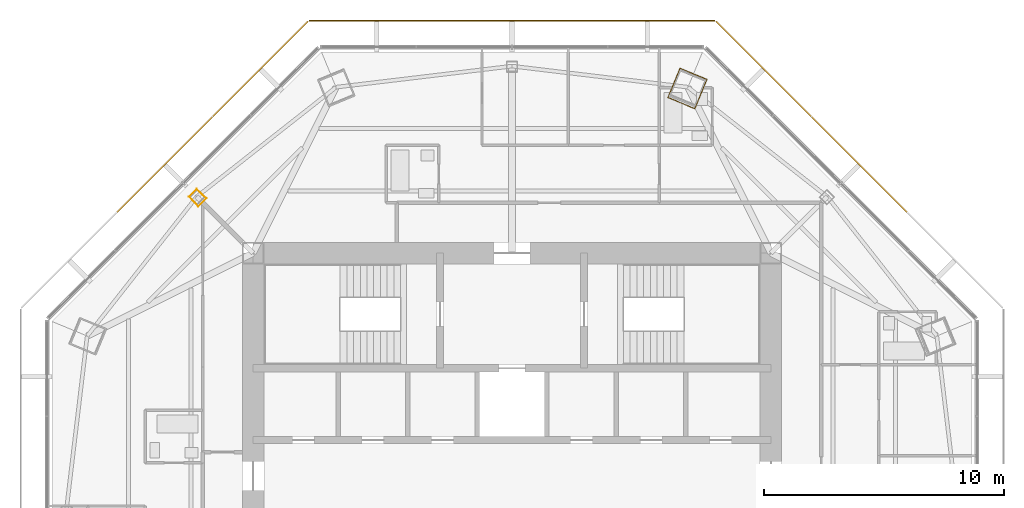
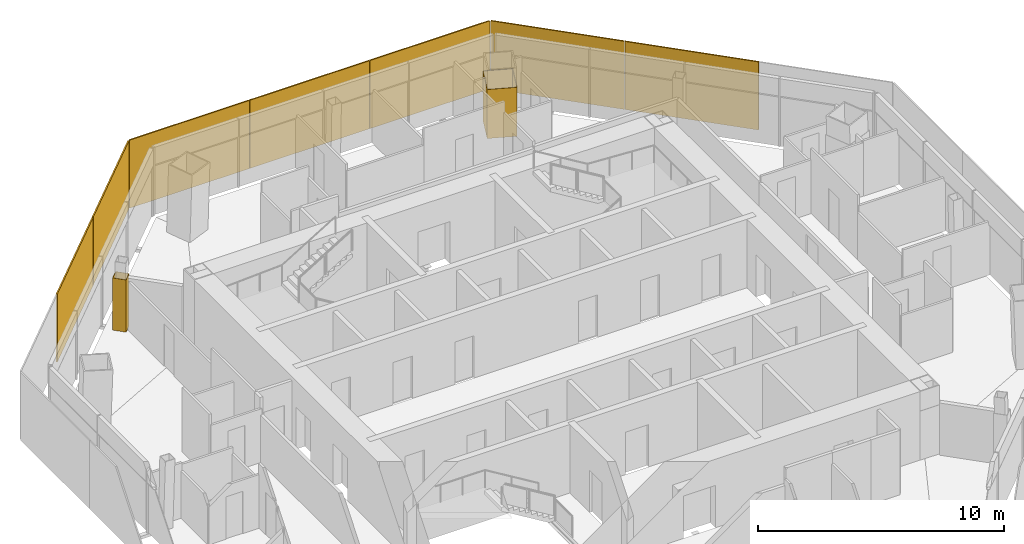
# One storey, part 14 of 15: 7 shading devices, 2 coverings.
"""IFC4 building model written with IfcOpenShell, lengths in metres."""

from ifc_helpers import new_model, si_unit, direction, frame, origin, origin_2d, place, context, subcontext, project, spatial, polyline, rectangle, outline, extrude, source, transform, mapped, material, layer, layer_set, type_object, type_shapes, element, save


model = new_model("IFC4")

# Units and contexts
model_context = context("Model", 3, precision=1e-05, world=origin(), true_north=direction((0.0, 1.0)))
body_context = subcontext(model_context, "Body", "Model", "MODEL_VIEW")
ifc_project = project(units=[si_unit("LENGTHUNIT", "METRE"), si_unit("AREAUNIT", "SQUARE_METRE"), si_unit("VOLUMEUNIT", "CUBIC_METRE"), si_unit("PLANEANGLEUNIT", "RADIAN"), si_unit("MASSUNIT", "GRAM", prefix="KILO")], contexts=[model_context])

# Site, building, storey
site_placement = place(None, origin())
site = spatial("IfcSite", under=ifc_project, at=site_placement, CompositionType="ELEMENT")
building_placement = place(site_placement, origin())
building = spatial("IfcBuilding", under=site, at=building_placement, Name="Mashrafa Tower", CompositionType="ELEMENT")
storey_placement = place(building_placement, frame((0.0, 0.0, 304.800048828125)))
storey = spatial("IfcBuildingStorey", under=building, at=storey_placement, Name="L75", CompositionType="ELEMENT", Elevation=304.800048828125)

# Coverings
ifc_material_1 = material(Name="Gypsum board")
ifc_layer_1 = layer(ifc_material_1, 0.014892578125)
ifc_layer_set_1 = layer_set([ifc_layer_1], Name="Column casing plasterboard 15")
covering_type = type_object("IfcCoveringType", Name="Column casing plasterboard 15", PredefinedType="CLADDING", material=ifc_layer_set_1)
covering_1_placement = place(storey_placement, origin())
element("IfcCovering", 1, at=covering_1_placement, inside=storey, type_object=covering_type, Name="Column casing L75-002", PredefinedType="CLADDING", context=body_context, shape_type="SweptSolid", body=[
    extrude(outline(polyline([(6.493896484375, 17.284912109375), (6.958984375, 18.407958984375), (7.004638671875, 18.517822265625), (8.14111328125, 18.04736328125), (7.67578125, 16.92431640625), (7.63037109375, 16.814208984375), (6.493896484375, 17.284912109375)]), holes=[polyline([(7.662109375, 16.929931640625), (8.12158203125, 18.0390625), (7.0126953125, 18.498291015625), (6.972900390625, 18.402099609375), (6.513671875, 17.29296875), (7.622314453125, 16.833740234375), (7.662109375, 16.929931640625)])]), origin(), (0.0, 0.0, 1.0), 2.435546875),
])
covering_2_placement = place(storey_placement, origin())
element("IfcCovering", 2, at=covering_2_placement, inside=storey, type_object=covering_type, Name="Column casing L75-004", PredefinedType="CLADDING", context=body_context, shape_type="SweptSolid", body=[
    extrude(outline(polyline([(-13.486328125, 13.146728515625), (-13.146728515625, 13.486328125), (-12.7392578125, 13.07861328125), (-13.07861328125, 12.7392578125), (-13.486328125, 13.146728515625)]), holes=[polyline([(-12.760498046875, 13.07861328125), (-13.146728515625, 13.465087890625), (-13.465087890625, 13.146728515625), (-13.07861328125, 12.760498046875), (-12.760498046875, 13.07861328125)])]), origin(), (0.0, 0.0, 1.0), 2.590576171875),
])

# Shading devices
ifc_material_2 = material(Name="Perforated aluminium plate, eight-point star pattern", Category="aluminium")
ifc_layer_2 = layer(ifc_material_2, 0.06005859375)
ifc_layer_set_2 = layer_set([ifc_layer_2], Name="Mashrabiya screen panel apartment zone 4, 22 percent open")
shading_device_type = type_object("IfcShadingDeviceType", Name="Mashrabiya screen panel apartment zone 4, 22 percent open", PredefinedType="SHUTTER", material=ifc_layer_set_2)
shared_shape = source(origin(), body_context, "Body", "SweptSolid", [
    extrude(rectangle(XDim=5.623779296875, YDim=0.06005859375, at=origin_2d()), origin(), (0.0, 0.0, 1.0), 3.3798828125),
])
type_shapes(shading_device_type, [shared_shape])
for number, where, z_axis, x_axis, name in (
    (3, (14.490234375, 14.490234375, -0.14990234375), (0.0, 0.0, 1.0), (-0.707106781187, 0.707106781187, 0.0), "Mashrabiya screen L75 north-east 2"),
    (4, (10.49951171875, 18.481201171875, -0.14990234375), (0.0, 0.0, 1.0), (-0.707106781187, 0.707106781187, 0.0), "Mashrabiya screen L75 north-east 3"),
    (5, (5.643798828125, 20.492431640625, -0.14990234375), (0.0, 0.0, 1.0), (-1.0, 0.0, 0.0), "Mashrabiya screen L75 north 1"),
    (6, (0.0, 20.492431640625, -0.14990234375), (0.0, 0.0, 1.0), (-1.0, 0.0, 0.0), "Mashrabiya screen L75 north 2"),
    (7, (-5.643798828125, 20.492431640625, -0.14990234375), (0.0, 0.0, 1.0), (-1.0, 0.0, 0.0), "Mashrabiya screen L75 north 3"),
    (8, (-10.49951171875, 18.481201171875, -0.14990234375), (0.0, 0.0, 1.0), (-0.707106781187, -0.707106781187, 0.0), "Mashrabiya screen L75 north-west 1"),
    (9, (-14.490234375, 14.490234375, -0.14990234375), (0.0, 0.0, 1.0), (-0.707106781187, -0.707106781187, 0.0), "Mashrabiya screen L75 north-west 2"),
):
    element("IfcShadingDevice", number, at=place(storey_placement, frame(where, z_axis=z_axis, x_axis=x_axis)), inside=storey, type_object=shading_device_type, Name=name, PredefinedType="SHUTTER", context=body_context, shape_type="MappedRepresentation", body=[
        mapped(shared_shape, transform((0.0, 0.0, 0.0))),
    ])

save(model, "model.ifc")
